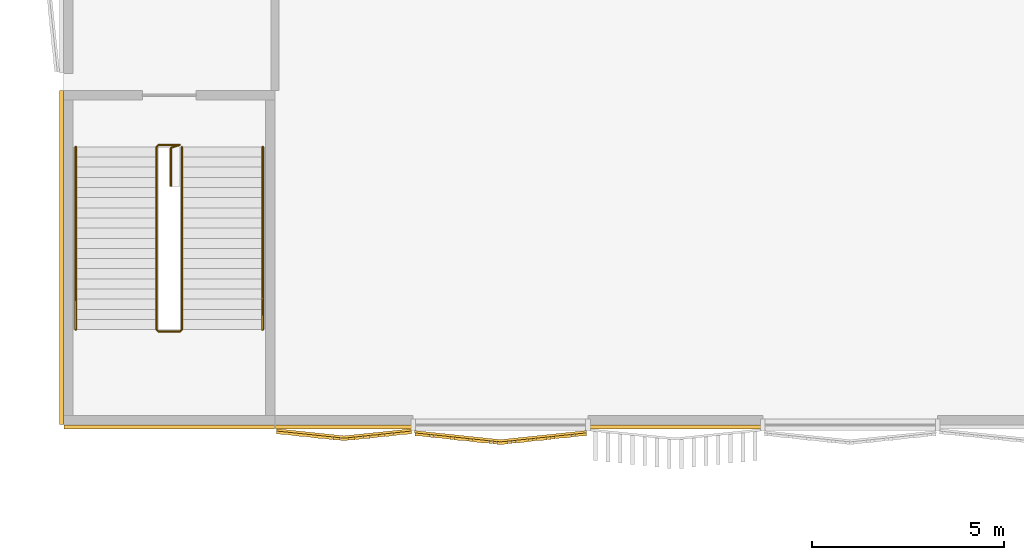
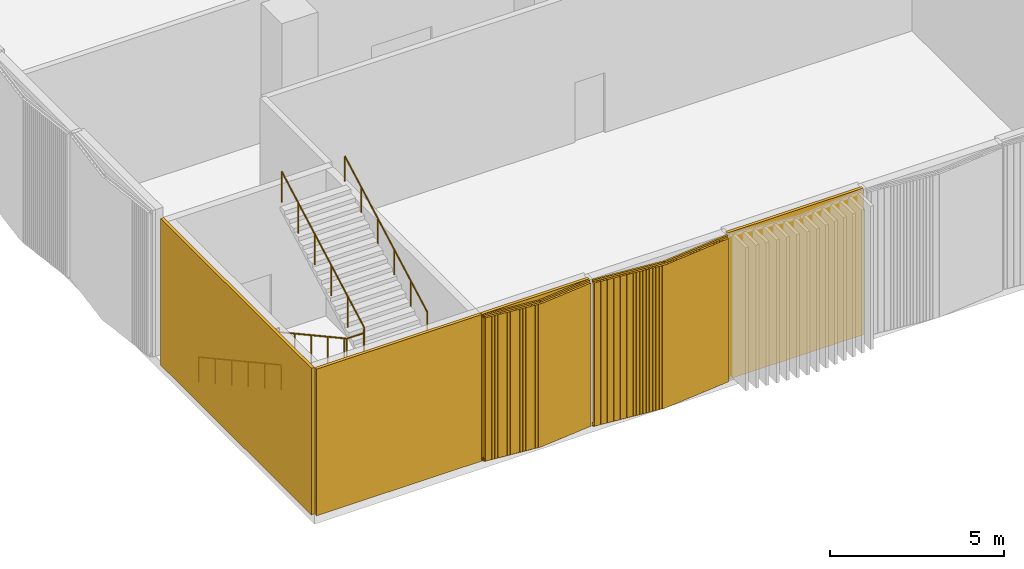
# One storey, part 20 of 31: 6 coverings, 3 railings.
"""IFC4 building model written with IfcOpenShell, lengths in metres."""

from ifc_helpers import new_model, si_unit, direction, frame, frame_2d, origin, origin_2d, place, context, subcontext, project, spatial, rectangle, circle, extrude, source, transform, mapped, material, layer, layer_set, type_object, element, save


model = new_model("IFC4")

# Units and contexts
model_context = context("Model", 3, precision=1e-05, world=origin(), true_north=direction((0.0, 1.0)))
body_context = subcontext(model_context, "Body", "Model", "MODEL_VIEW")
ifc_project = project(units=[si_unit("LENGTHUNIT", "METRE"), si_unit("AREAUNIT", "SQUARE_METRE"), si_unit("VOLUMEUNIT", "CUBIC_METRE"), si_unit("PLANEANGLEUNIT", "RADIAN"), si_unit("MASSUNIT", "GRAM", prefix="KILO")], contexts=[model_context])

# Site, building, storey
site_placement = place(None, origin())
site = spatial("IfcSite", under=ifc_project, at=site_placement, CompositionType="ELEMENT")
building_placement = place(site_placement, origin())
building = spatial("IfcBuilding", under=site, at=building_placement, Name="Tamra Quay Hotel Tower", CompositionType="ELEMENT")
storey_placement = place(building_placement, frame((0.0, 0.0, 14.0)))
storey = spatial("IfcBuildingStorey", under=building, at=storey_placement, Name="L02", CompositionType="ELEMENT", Elevation=14.0)

# Coverings
ifc_material_1 = material(Name="Precast concrete M60 terracotta-coloured pierced relief", Category="masonry")
ifc_layer = layer(ifc_material_1, 0.10009765625)
ifc_layer_set = layer_set([ifc_layer], Name="PIERCED RELIEF PANEL 100")
covering_type_1 = type_object("IfcCoveringType", Name="PIERCED RELIEF PANEL 100", PredefinedType="CLADDING", material=ifc_layer_set)
covering_1_placement = place(storey_placement, frame((-81.803955078125, -32.050048828125, 0.0), z_axis=(0.0, 0.0, 1.0), x_axis=(1.0, 0.0, 0.0)))
element("IfcCovering", 1, at=covering_1_placement, inside=storey, type_object=covering_type_1, Name="Relief panel L02.SW.11", PredefinedType="CLADDING", context=body_context, shape_type="SweptSolid", body=[
    extrude(rectangle(XDim=3.572265625, YDim=0.10009765625, at=origin_2d()), origin(), (0.0, 0.0, 1.0), 5.14990234375),
])
covering_2_placement = place(storey_placement, frame((-73.1884765625, -32.050048828125, 0.0), z_axis=(0.0, 0.0, 1.0), x_axis=(1.0, 0.0, 0.0)))
element("IfcCovering", 2, at=covering_2_placement, inside=storey, type_object=covering_type_1, Name="Relief panel L02.SW.13", PredefinedType="CLADDING", context=body_context, shape_type="SweptSolid", body=[
    extrude(rectangle(XDim=4.526123046875, YDim=0.10009765625, at=origin_2d()), origin(), (0.0, 0.0, 1.0), 5.14990234375),
])
covering_3_placement = place(storey_placement, frame((-89.14990234375, -27.64990234375, 0.0), z_axis=(0.0, 0.0, 1.0), x_axis=(0.0, -1.0, 0.0)))
element("IfcCovering", 3, at=covering_3_placement, inside=storey, type_object=covering_type_1, Name="Relief panel L02.PS2.2", PredefinedType="CLADDING", context=body_context, shape_type="SweptSolid", body=[
    extrude(rectangle(XDim=8.679931640625, YDim=0.10009765625, at=origin_2d()), origin(), (0.0, 0.0, 1.0), 5.14990234375),
])
covering_4_placement = place(storey_placement, frame((-86.35009765625, -32.050048828125, 0.0), z_axis=(0.0, 0.0, 1.0), x_axis=(1.0, 0.0, 0.0)))
element("IfcCovering", 4, at=covering_4_placement, inside=storey, type_object=covering_type_1, Name="Relief panel L02.PS2.3", PredefinedType="CLADDING", context=body_context, shape_type="SweptSolid", body=[
    extrude(rectangle(XDim=5.47998046875, YDim=0.10009765625, at=origin_2d()), origin(), (0.0, 0.0, 1.0), 5.14990234375),
])

# Railings
ifc_material_2 = material(Name="Stair guard 1100")
railing_type_1 = type_object("IfcRailingType", Name="Stair guard 1100", PredefinedType="GUARDRAIL", material=ifc_material_2)
railing_1_placement = place(storey_placement, frame((-86.300048828125, -25.7900390625, 0.0)))
element("IfcRailing", 5, at=railing_1_placement, inside=storey, type_object=railing_type_1, Name="GR", PredefinedType="GUARDRAIL", context=body_context, shape_type="SweptSolid", body=[
    extrude(circle(Radius=0.02392578125, at=origin_2d()), frame((0.0, 0.0, 1.076171875), z_axis=(0.0, 1.0, 0.0), x_axis=(-1.0, 0.0, 0.0)), (0.0, 0.0, 1.0), 1.0),
    extrude(circle(Radius=0.02392578125, at=origin_2d()), frame((0.0, 1.0, 1.076171875), z_axis=(0.956587750704, 0.291444463325, 0.0), x_axis=(-0.291444463325, 0.956587750704, 0.0)), (0.0, 0.0, 1.0), 0.240478515625),
    extrude(circle(Radius=0.02392578125, at=origin_2d()), frame((0.22998046875, 1.070068359375, 1.076171875), z_axis=(-1.0, 0.0, 0.0), x_axis=(0.0, -1.0, 0.0)), (0.0, 0.0, 1.0), 0.559814453125),
    extrude(circle(Radius=0.02392578125, at=origin_2d()), frame((-0.329833984375, 1.070068359375, 1.076171875), z_axis=(-0.310570770478, -0.310570770478, 0.898382765334), x_axis=(0.707106781187, -0.707106781187, 0.0)), (0.0, 0.0, 1.0), 0.1611328125),
    extrude(circle(Radius=0.02392578125, at=origin_2d()), frame((-0.3798828125, 1.02001953125, 1.220703125), z_axis=(0.0, -0.876865707204, 0.480735406986), x_axis=(1.0, 0.0, 0.0)), (0.0, 0.0, 1.0), 5.419189453125),
    extrude(circle(Radius=0.02392578125, at=origin_2d()), frame((-0.3798828125, -3.73193359375, 3.826171875), z_axis=(0.707106781187, -0.707106781187, 0.0), x_axis=(0.707106781187, 0.707106781187, 0.0)), (0.0, 0.0, 1.0), 0.07080078125),
    extrude(circle(Radius=0.02392578125, at=origin_2d()), frame((-0.329833984375, -3.781982421875, 3.826171875), z_axis=(1.0, 0.0, 0.0), x_axis=(0.0, 1.0, 0.0)), (0.0, 0.0, 1.0), 0.559814453125),
    extrude(circle(Radius=0.02392578125, at=origin_2d()), frame((0.22998046875, -3.781982421875, 3.826171875), z_axis=(0.310570770478, 0.310570770478, 0.898382765334), x_axis=(-0.707106781187, 0.707106781187, 0.0)), (0.0, 0.0, 1.0), 0.1611328125),
    extrude(circle(Radius=0.02392578125, at=origin_2d()), frame((0.280029296875, -3.73193359375, 3.970703125), z_axis=(0.0, 0.876865707204, 0.480735406986), x_axis=(-1.0, 0.0, 0.0)), (0.0, 0.0, 1.0), 5.419189453125),
    extrude(circle(Radius=0.02099609375, at=origin_2d()), origin(), (0.0, 0.0, 1.0), 1.052001953125),
    extrude(circle(Radius=0.02099609375, at=origin_2d()), frame((0.0, 1.0, 0.0)), (0.0, 0.0, 1.0), 1.052001953125),
    extrude(circle(Radius=0.02099609375, at=origin_2d()), frame((0.22998046875, 1.070068359375, 0.0)), (0.0, 0.0, 1.0), 1.052001953125),
    extrude(circle(Radius=0.02099609375, at=origin_2d()), frame((-0.329833984375, 1.070068359375, 0.0)), (0.0, 0.0, 1.0), 1.052001953125),
    extrude(circle(Radius=0.02099609375, at=origin_2d()), frame((-0.3798828125, 1.02001953125, 0.144775390625)), (0.0, 0.0, 1.0), 1.052001953125),
    extrude(circle(Radius=0.02099609375, at=origin_2d()), frame((-0.3798828125, 0.069580078125, 0.665771484375)), (0.0, 0.0, 1.0), 1.052001953125),
    extrude(circle(Radius=0.02099609375, at=origin_2d()), frame((-0.3798828125, -0.880859375, 1.186767578125)), (0.0, 0.0, 1.0), 1.052001953125),
    extrude(circle(Radius=0.02099609375, at=origin_2d()), frame((-0.3798828125, -1.8310546875, 1.7080078125)), (0.0, 0.0, 1.0), 1.052001953125),
    extrude(circle(Radius=0.02099609375, at=origin_2d()), frame((-0.3798828125, -2.781494140625, 2.22900390625)), (0.0, 0.0, 1.0), 1.052001953125),
    extrude(circle(Radius=0.02099609375, at=origin_2d()), frame((-0.3798828125, -3.73193359375, 2.75)), (0.0, 0.0, 1.0), 1.052001953125),
    extrude(circle(Radius=0.02099609375, at=origin_2d()), frame((-0.329833984375, -3.781982421875, 2.75)), (0.0, 0.0, 1.0), 1.052001953125),
    extrude(circle(Radius=0.02099609375, at=origin_2d()), frame((0.22998046875, -3.781982421875, 2.75)), (0.0, 0.0, 1.0), 1.052001953125),
    extrude(circle(Radius=0.02099609375, at=origin_2d()), frame((0.280029296875, -3.73193359375, 2.894775390625)), (0.0, 0.0, 1.0), 1.052001953125),
    extrude(circle(Radius=0.02099609375, at=origin_2d()), frame((0.280029296875, -2.781494140625, 3.415771484375)), (0.0, 0.0, 1.0), 1.052001953125),
    extrude(circle(Radius=0.02099609375, at=origin_2d()), frame((0.280029296875, -1.8310546875, 3.936767578125)), (0.0, 0.0, 1.0), 1.052001953125),
    extrude(circle(Radius=0.02099609375, at=origin_2d()), frame((0.280029296875, -0.880859375, 4.4580078125)), (0.0, 0.0, 1.0), 1.052001953125),
    extrude(circle(Radius=0.02099609375, at=origin_2d()), frame((0.280029296875, 0.069580078125, 4.97900390625)), (0.0, 0.0, 1.0), 1.052001953125),
    extrude(circle(Radius=0.02099609375, at=origin_2d()), frame((0.280029296875, 1.02001953125, 5.5)), (0.0, 0.0, 1.0), 1.052001953125),
])
ifc_material_3 = material(Name="Stair handrail 900")
railing_type_2 = type_object("IfcRailingType", Name="Stair handrail 900", PredefinedType="HANDRAIL", material=ifc_material_3)
railing_2_placement = place(storey_placement, frame((-88.780029296875, -24.77001953125, 0.144775390625)))
element("IfcRailing", 6, at=railing_2_placement, inside=storey, type_object=railing_type_2, Name="HR", PredefinedType="HANDRAIL", context=body_context, shape_type="SweptSolid", body=[
    extrude(circle(Radius=0.02392578125, at=origin_2d()), frame((0.0, 0.0, 0.8759765625), z_axis=(0.0, -0.876865707204, 0.480735406986), x_axis=(1.0, 0.0, 0.0)), (0.0, 0.0, 1.0), 5.419189453125),
    extrude(circle(Radius=0.02099609375, at=origin_2d()), origin(), (0.0, 0.0, 1.0), 0.851806640625),
    extrude(circle(Radius=0.02099609375, at=origin_2d()), frame((0.0, -0.950439453125, 0.52099609375)), (0.0, 0.0, 1.0), 0.851806640625),
    extrude(circle(Radius=0.02099609375, at=origin_2d()), frame((0.0, -1.90087890625, 1.0419921875)), (0.0, 0.0, 1.0), 0.851806640625),
    extrude(circle(Radius=0.02099609375, at=origin_2d()), frame((0.0, -2.85107421875, 1.563232421875)), (0.0, 0.0, 1.0), 0.851806640625),
    extrude(circle(Radius=0.02099609375, at=origin_2d()), frame((0.0, -3.801513671875, 2.084228515625)), (0.0, 0.0, 1.0), 0.851806640625),
    extrude(circle(Radius=0.02099609375, at=origin_2d()), frame((0.0, -4.751953125, 2.605224609375)), (0.0, 0.0, 1.0), 0.851806640625),
])
railing_3_placement = place(storey_placement, frame((-83.919921875, -29.52197265625, 2.894775390625)))
element("IfcRailing", 7, at=railing_3_placement, inside=storey, type_object=railing_type_2, Name="HR", PredefinedType="HANDRAIL", context=body_context, shape_type="SweptSolid", body=[
    extrude(circle(Radius=0.02392578125, at=origin_2d()), frame((0.0, 0.0, 0.8759765625), z_axis=(0.0, 0.876865707204, 0.480735406986), x_axis=(-1.0, 0.0, 0.0)), (0.0, 0.0, 1.0), 5.419189453125),
    extrude(circle(Radius=0.02099609375, at=origin_2d()), origin(), (0.0, 0.0, 1.0), 0.851806640625),
    extrude(circle(Radius=0.02099609375, at=origin_2d()), frame((0.0, 0.950439453125, 0.52099609375)), (0.0, 0.0, 1.0), 0.851806640625),
    extrude(circle(Radius=0.02099609375, at=origin_2d()), frame((0.0, 1.90087890625, 1.0419921875)), (0.0, 0.0, 1.0), 0.851806640625),
    extrude(circle(Radius=0.02099609375, at=origin_2d()), frame((0.0, 2.85107421875, 1.563232421875)), (0.0, 0.0, 1.0), 0.851806640625),
    extrude(circle(Radius=0.02099609375, at=origin_2d()), frame((0.0, 3.801513671875, 2.084228515625)), (0.0, 0.0, 1.0), 0.851806640625),
    extrude(circle(Radius=0.02099609375, at=origin_2d()), frame((0.0, 4.751953125, 2.605224609375)), (0.0, 0.0, 1.0), 0.851806640625),
])

# Coverings
ifc_material_4 = material(Name="Terracotta baguette extruded", Category="masonry")
covering_type_2 = type_object("IfcCoveringType", Name="BAGUETTE SCREEN PODIUM-SHALLOW H5150", PredefinedType="USERDEFINED", material=ifc_material_4)
shared_shape_1 = source(origin(), body_context, "Body", "SweptSolid", [
    extrude(rectangle(XDim=2.244873046875, YDim=0.06005859375, at=frame_2d((1.12255859375, 0.030029296875))), frame((-2.23876953125, -0.0576171875, -0.1201171875), z_axis=(0.0, 0.0, 1.0), x_axis=(0.994521895368, -0.104528463268, 0.0)), (0.0, 0.0, 1.0), 0.1201171875),
    extrude(rectangle(XDim=2.244873046875, YDim=0.06005859375, at=frame_2d((1.12255859375, 0.030029296875))), frame((-2.23876953125, -0.0576171875, -5.14990234375), z_axis=(0.0, 0.0, 1.0), x_axis=(0.994521895368, -0.104528463268, 0.0)), (0.0, 0.0, 1.0), 0.1201171875),
    extrude(rectangle(XDim=0.094970703125, YDim=0.10009765625, at=frame_2d((0.04736328125, 0.050048828125))), frame((-2.229248046875, -0.13330078125, -5.090087890625)), (0.0, 0.0, 1.0), 5.030029296875),
    extrude(rectangle(XDim=0.094970703125, YDim=0.10009765625, at=frame_2d((0.04736328125, 0.050048828125))), frame((-2.127685546875, -0.14404296875, -5.090087890625)), (0.0, 0.0, 1.0), 5.030029296875),
    extrude(rectangle(XDim=0.094970703125, YDim=0.10009765625, at=frame_2d((0.04736328125, 0.050048828125))), frame((-2.0263671875, -0.154541015625, -5.090087890625)), (0.0, 0.0, 1.0), 5.030029296875),
    extrude(rectangle(XDim=0.094970703125, YDim=0.10009765625, at=frame_2d((0.04736328125, 0.050048828125))), frame((-1.9248046875, -0.165283203125, -5.090087890625)), (0.0, 0.0, 1.0), 5.030029296875),
    extrude(rectangle(XDim=0.094970703125, YDim=0.10009765625, at=frame_2d((0.04736328125, 0.050048828125))), frame((-1.8232421875, -0.176025390625, -5.090087890625)), (0.0, 0.0, 1.0), 5.030029296875),
    extrude(rectangle(XDim=0.094970703125, YDim=0.10009765625, at=frame_2d((0.04736328125, 0.050048828125))), frame((-1.721923828125, -0.186767578125, -5.090087890625)), (0.0, 0.0, 1.0), 5.030029296875),
    extrude(rectangle(XDim=0.094970703125, YDim=0.10009765625, at=frame_2d((0.04736328125, 0.050048828125))), frame((-1.620361328125, -0.197265625, -5.090087890625)), (0.0, 0.0, 1.0), 5.030029296875),
    extrude(rectangle(XDim=0.094970703125, YDim=0.10009765625, at=frame_2d((0.04736328125, 0.050048828125))), frame((-1.518798828125, -0.2080078125, -5.090087890625)), (0.0, 0.0, 1.0), 5.030029296875),
    extrude(rectangle(XDim=0.094970703125, YDim=0.10009765625, at=frame_2d((0.04736328125, 0.050048828125))), frame((-1.41748046875, -0.21875, -5.090087890625)), (0.0, 0.0, 1.0), 5.030029296875),
    extrude(rectangle(XDim=0.094970703125, YDim=0.10009765625, at=frame_2d((0.04736328125, 0.050048828125))), frame((-1.31591796875, -0.229248046875, -5.090087890625)), (0.0, 0.0, 1.0), 5.030029296875),
    extrude(rectangle(XDim=0.094970703125, YDim=0.10009765625, at=frame_2d((0.04736328125, 0.050048828125))), frame((-1.214599609375, -0.239990234375, -5.090087890625)), (0.0, 0.0, 1.0), 5.030029296875),
    extrude(rectangle(XDim=0.094970703125, YDim=0.10009765625, at=frame_2d((0.04736328125, 0.050048828125))), frame((-1.113037109375, -0.250732421875, -5.090087890625)), (0.0, 0.0, 1.0), 5.030029296875),
    extrude(rectangle(XDim=0.094970703125, YDim=0.10009765625, at=frame_2d((0.04736328125, 0.050048828125))), frame((-1.011474609375, -0.26123046875, -5.090087890625)), (0.0, 0.0, 1.0), 5.030029296875),
    extrude(rectangle(XDim=0.094970703125, YDim=0.10009765625, at=frame_2d((0.04736328125, 0.050048828125))), frame((-0.91015625, -0.27197265625, -5.090087890625)), (0.0, 0.0, 1.0), 5.030029296875),
    extrude(rectangle(XDim=0.094970703125, YDim=0.10009765625, at=frame_2d((0.04736328125, 0.050048828125))), frame((-0.80859375, -0.28271484375, -5.090087890625)), (0.0, 0.0, 1.0), 5.030029296875),
    extrude(rectangle(XDim=0.094970703125, YDim=0.10009765625, at=frame_2d((0.04736328125, 0.050048828125))), frame((-0.70703125, -0.293212890625, -5.090087890625)), (0.0, 0.0, 1.0), 5.030029296875),
    extrude(rectangle(XDim=0.094970703125, YDim=0.10009765625, at=frame_2d((0.04736328125, 0.050048828125))), frame((-0.605712890625, -0.303955078125, -5.090087890625)), (0.0, 0.0, 1.0), 5.030029296875),
    extrude(rectangle(XDim=0.094970703125, YDim=0.10009765625, at=frame_2d((0.04736328125, 0.050048828125))), frame((-0.504150390625, -0.314697265625, -5.090087890625)), (0.0, 0.0, 1.0), 5.030029296875),
    extrude(rectangle(XDim=0.094970703125, YDim=0.10009765625, at=frame_2d((0.04736328125, 0.050048828125))), frame((-0.402587890625, -0.325439453125, -5.090087890625)), (0.0, 0.0, 1.0), 5.030029296875),
    extrude(rectangle(XDim=0.094970703125, YDim=0.10009765625, at=frame_2d((0.04736328125, 0.050048828125))), frame((-0.30126953125, -0.3359375, -5.090087890625)), (0.0, 0.0, 1.0), 5.030029296875),
    extrude(rectangle(XDim=0.094970703125, YDim=0.10009765625, at=frame_2d((0.04736328125, 0.050048828125))), frame((-0.19970703125, -0.3466796875, -5.090087890625)), (0.0, 0.0, 1.0), 5.030029296875),
    extrude(rectangle(XDim=0.094970703125, YDim=0.10009765625, at=frame_2d((0.04736328125, 0.050048828125))), frame((-0.09814453125, -0.357421875, -5.090087890625)), (0.0, 0.0, 1.0), 5.030029296875),
    extrude(rectangle(XDim=2.244873046875, YDim=0.06005859375, at=frame_2d((1.12255859375, 0.030029296875))), frame((0.00634765625, -0.292236328125, -0.1201171875), z_axis=(0.0, 0.0, 1.0), x_axis=(0.994521895368, 0.104528463268, 0.0)), (0.0, 0.0, 1.0), 0.1201171875),
    extrude(rectangle(XDim=2.244873046875, YDim=0.06005859375, at=frame_2d((1.12255859375, 0.030029296875))), frame((0.00634765625, -0.292236328125, -5.14990234375), z_axis=(0.0, 0.0, 1.0), x_axis=(0.994521895368, 0.104528463268, 0.0)), (0.0, 0.0, 1.0), 0.1201171875),
    extrude(rectangle(XDim=0.094970703125, YDim=0.10009765625, at=frame_2d((0.04736328125, 0.050048828125))), frame((0.003173828125, -0.357421875, -5.090087890625)), (0.0, 0.0, 1.0), 5.030029296875),
    extrude(rectangle(XDim=0.094970703125, YDim=0.10009765625, at=frame_2d((0.04736328125, 0.050048828125))), frame((0.104736328125, -0.3466796875, -5.090087890625)), (0.0, 0.0, 1.0), 5.030029296875),
    extrude(rectangle(XDim=0.094970703125, YDim=0.10009765625, at=frame_2d((0.04736328125, 0.050048828125))), frame((0.206298828125, -0.3359375, -5.090087890625)), (0.0, 0.0, 1.0), 5.030029296875),
    extrude(rectangle(XDim=0.094970703125, YDim=0.10009765625, at=frame_2d((0.04736328125, 0.050048828125))), frame((0.3076171875, -0.325439453125, -5.090087890625)), (0.0, 0.0, 1.0), 5.030029296875),
    extrude(rectangle(XDim=0.094970703125, YDim=0.10009765625, at=frame_2d((0.04736328125, 0.050048828125))), frame((0.4091796875, -0.314697265625, -5.090087890625)), (0.0, 0.0, 1.0), 5.030029296875),
    extrude(rectangle(XDim=0.094970703125, YDim=0.10009765625, at=frame_2d((0.04736328125, 0.050048828125))), frame((0.510498046875, -0.303955078125, -5.090087890625)), (0.0, 0.0, 1.0), 5.030029296875),
    extrude(rectangle(XDim=0.094970703125, YDim=0.10009765625, at=frame_2d((0.04736328125, 0.050048828125))), frame((0.612060546875, -0.293212890625, -5.090087890625)), (0.0, 0.0, 1.0), 5.030029296875),
    extrude(rectangle(XDim=0.094970703125, YDim=0.10009765625, at=frame_2d((0.04736328125, 0.050048828125))), frame((0.713623046875, -0.28271484375, -5.090087890625)), (0.0, 0.0, 1.0), 5.030029296875),
    extrude(rectangle(XDim=0.094970703125, YDim=0.10009765625, at=frame_2d((0.04736328125, 0.050048828125))), frame((0.81494140625, -0.27197265625, -5.090087890625)), (0.0, 0.0, 1.0), 5.030029296875),
    extrude(rectangle(XDim=0.094970703125, YDim=0.10009765625, at=frame_2d((0.04736328125, 0.050048828125))), frame((0.91650390625, -0.26123046875, -5.090087890625)), (0.0, 0.0, 1.0), 5.030029296875),
    extrude(rectangle(XDim=0.094970703125, YDim=0.10009765625, at=frame_2d((0.04736328125, 0.050048828125))), frame((1.01806640625, -0.250732421875, -5.090087890625)), (0.0, 0.0, 1.0), 5.030029296875),
    extrude(rectangle(XDim=0.094970703125, YDim=0.10009765625, at=frame_2d((0.04736328125, 0.050048828125))), frame((1.119384765625, -0.239990234375, -5.090087890625)), (0.0, 0.0, 1.0), 5.030029296875),
    extrude(rectangle(XDim=0.094970703125, YDim=0.10009765625, at=frame_2d((0.04736328125, 0.050048828125))), frame((1.220947265625, -0.229248046875, -5.090087890625)), (0.0, 0.0, 1.0), 5.030029296875),
    extrude(rectangle(XDim=0.094970703125, YDim=0.10009765625, at=frame_2d((0.04736328125, 0.050048828125))), frame((1.322509765625, -0.21875, -5.090087890625)), (0.0, 0.0, 1.0), 5.030029296875),
    extrude(rectangle(XDim=0.094970703125, YDim=0.10009765625, at=frame_2d((0.04736328125, 0.050048828125))), frame((1.423828125, -0.2080078125, -5.090087890625)), (0.0, 0.0, 1.0), 5.030029296875),
    extrude(rectangle(XDim=0.094970703125, YDim=0.10009765625, at=frame_2d((0.04736328125, 0.050048828125))), frame((1.525390625, -0.197265625, -5.090087890625)), (0.0, 0.0, 1.0), 5.030029296875),
    extrude(rectangle(XDim=0.094970703125, YDim=0.10009765625, at=frame_2d((0.04736328125, 0.050048828125))), frame((1.626953125, -0.186767578125, -5.090087890625)), (0.0, 0.0, 1.0), 5.030029296875),
    extrude(rectangle(XDim=0.094970703125, YDim=0.10009765625, at=frame_2d((0.04736328125, 0.050048828125))), frame((1.728271484375, -0.176025390625, -5.090087890625)), (0.0, 0.0, 1.0), 5.030029296875),
    extrude(rectangle(XDim=0.094970703125, YDim=0.10009765625, at=frame_2d((0.04736328125, 0.050048828125))), frame((1.829833984375, -0.165283203125, -5.090087890625)), (0.0, 0.0, 1.0), 5.030029296875),
    extrude(rectangle(XDim=0.094970703125, YDim=0.10009765625, at=frame_2d((0.04736328125, 0.050048828125))), frame((1.931396484375, -0.154541015625, -5.090087890625)), (0.0, 0.0, 1.0), 5.030029296875),
    extrude(rectangle(XDim=0.094970703125, YDim=0.10009765625, at=frame_2d((0.04736328125, 0.050048828125))), frame((2.03271484375, -0.14404296875, -5.090087890625)), (0.0, 0.0, 1.0), 5.030029296875),
    extrude(rectangle(XDim=0.094970703125, YDim=0.10009765625, at=frame_2d((0.04736328125, 0.050048828125))), frame((2.13427734375, -0.13330078125, -5.090087890625)), (0.0, 0.0, 1.0), 5.030029296875),
])
covering_5_placement = place(storey_placement, frame((-77.734619140625, -32.14794921875, 5.14990234375), z_axis=(0.0, 0.0, 1.0), x_axis=(1.0, 0.0, 0.0)))
element("IfcCovering", 8, at=covering_5_placement, inside=storey, type_object=covering_type_2, Name="Baguette screen L02.SW.f00", ObjectType="BAGUETTE SCREEN", PredefinedType="USERDEFINED", context=body_context, shape_type="MappedRepresentation", body=[
    mapped(shared_shape_1, transform((0.0, 0.0, 0.0), scale=1.0)),
])
covering_type_3 = type_object("IfcCoveringType", Name="BAGUETTE SCREEN SW-SHALLOW H5150", PredefinedType="USERDEFINED", material=ifc_material_4)
shared_shape_2 = source(origin(), body_context, "Body", "SweptSolid", [
    extrude(rectangle(XDim=1.76220703125, YDim=0.06005859375, at=frame_2d((0.881103515625, 0.030029296875))), frame((-1.7587890625, -0.0576171875, -0.1201171875), z_axis=(0.0, 0.0, 1.0), x_axis=(0.994521895368, -0.104528463268, 0.0)), (0.0, 0.0, 1.0), 0.1201171875),
    extrude(rectangle(XDim=1.76220703125, YDim=0.06005859375, at=frame_2d((0.881103515625, 0.030029296875))), frame((-1.7587890625, -0.0576171875, -5.14990234375), z_axis=(0.0, 0.0, 1.0), x_axis=(0.994521895368, -0.104528463268, 0.0)), (0.0, 0.0, 1.0), 0.1201171875),
    extrude(rectangle(XDim=0.094970703125, YDim=0.10009765625, at=frame_2d((0.04736328125, 0.050048828125))), frame((-1.751220703125, -0.133056640625, -5.090087890625)), (0.0, 0.0, 1.0), 5.030029296875),
    extrude(rectangle(XDim=0.094970703125, YDim=0.10009765625, at=frame_2d((0.04736328125, 0.050048828125))), frame((-1.654052734375, -0.143310546875, -5.090087890625)), (0.0, 0.0, 1.0), 5.030029296875),
    extrude(rectangle(XDim=0.094970703125, YDim=0.10009765625, at=frame_2d((0.04736328125, 0.050048828125))), frame((-1.556640625, -0.153564453125, -5.090087890625)), (0.0, 0.0, 1.0), 5.030029296875),
    extrude(rectangle(XDim=0.094970703125, YDim=0.10009765625, at=frame_2d((0.04736328125, 0.050048828125))), frame((-1.459228515625, -0.163818359375, -5.090087890625)), (0.0, 0.0, 1.0), 5.030029296875),
    extrude(rectangle(XDim=0.094970703125, YDim=0.10009765625, at=frame_2d((0.04736328125, 0.050048828125))), frame((-1.36181640625, -0.174072265625, -5.090087890625)), (0.0, 0.0, 1.0), 5.030029296875),
    extrude(rectangle(XDim=0.094970703125, YDim=0.10009765625, at=frame_2d((0.04736328125, 0.050048828125))), frame((-1.264404296875, -0.184326171875, -5.090087890625)), (0.0, 0.0, 1.0), 5.030029296875),
    extrude(rectangle(XDim=0.094970703125, YDim=0.10009765625, at=frame_2d((0.04736328125, 0.050048828125))), frame((-1.167236328125, -0.194580078125, -5.090087890625)), (0.0, 0.0, 1.0), 5.030029296875),
    extrude(rectangle(XDim=0.094970703125, YDim=0.10009765625, at=frame_2d((0.04736328125, 0.050048828125))), frame((-1.06982421875, -0.204833984375, -5.090087890625)), (0.0, 0.0, 1.0), 5.030029296875),
    extrude(rectangle(XDim=0.094970703125, YDim=0.10009765625, at=frame_2d((0.04736328125, 0.050048828125))), frame((-0.972412109375, -0.215087890625, -5.090087890625)), (0.0, 0.0, 1.0), 5.030029296875),
    extrude(rectangle(XDim=0.094970703125, YDim=0.10009765625, at=frame_2d((0.04736328125, 0.050048828125))), frame((-0.875, -0.22509765625, -5.090087890625)), (0.0, 0.0, 1.0), 5.030029296875),
    extrude(rectangle(XDim=0.094970703125, YDim=0.10009765625, at=frame_2d((0.04736328125, 0.050048828125))), frame((-0.77783203125, -0.2353515625, -5.090087890625)), (0.0, 0.0, 1.0), 5.030029296875),
    extrude(rectangle(XDim=0.094970703125, YDim=0.10009765625, at=frame_2d((0.04736328125, 0.050048828125))), frame((-0.680419921875, -0.24560546875, -5.090087890625)), (0.0, 0.0, 1.0), 5.030029296875),
    extrude(rectangle(XDim=0.094970703125, YDim=0.10009765625, at=frame_2d((0.04736328125, 0.050048828125))), frame((-0.5830078125, -0.255859375, -5.090087890625)), (0.0, 0.0, 1.0), 5.030029296875),
    extrude(rectangle(XDim=0.094970703125, YDim=0.10009765625, at=frame_2d((0.04736328125, 0.050048828125))), frame((-0.485595703125, -0.26611328125, -5.090087890625)), (0.0, 0.0, 1.0), 5.030029296875),
    extrude(rectangle(XDim=0.094970703125, YDim=0.10009765625, at=frame_2d((0.04736328125, 0.050048828125))), frame((-0.38818359375, -0.2763671875, -5.090087890625)), (0.0, 0.0, 1.0), 5.030029296875),
    extrude(rectangle(XDim=0.094970703125, YDim=0.10009765625, at=frame_2d((0.04736328125, 0.050048828125))), frame((-0.291015625, -0.28662109375, -5.090087890625)), (0.0, 0.0, 1.0), 5.030029296875),
    extrude(rectangle(XDim=0.094970703125, YDim=0.10009765625, at=frame_2d((0.04736328125, 0.050048828125))), frame((-0.193603515625, -0.296875, -5.090087890625)), (0.0, 0.0, 1.0), 5.030029296875),
    extrude(rectangle(XDim=0.094970703125, YDim=0.10009765625, at=frame_2d((0.04736328125, 0.050048828125))), frame((-0.09619140625, -0.30712890625, -5.090087890625)), (0.0, 0.0, 1.0), 5.030029296875),
    extrude(rectangle(XDim=1.76220703125, YDim=0.06005859375, at=frame_2d((0.881103515625, 0.030029296875))), frame((0.00634765625, -0.241943359375, -0.1201171875), z_axis=(0.0, 0.0, 1.0), x_axis=(0.994521895368, 0.104528463268, 0.0)), (0.0, 0.0, 1.0), 0.1201171875),
    extrude(rectangle(XDim=1.76220703125, YDim=0.06005859375, at=frame_2d((0.881103515625, 0.030029296875))), frame((0.00634765625, -0.241943359375, -5.14990234375), z_axis=(0.0, 0.0, 1.0), x_axis=(0.994521895368, 0.104528463268, 0.0)), (0.0, 0.0, 1.0), 0.1201171875),
    extrude(rectangle(XDim=0.094970703125, YDim=0.10009765625, at=frame_2d((0.04736328125, 0.050048828125))), frame((0.001220703125, -0.30712890625, -5.090087890625)), (0.0, 0.0, 1.0), 5.030029296875),
    extrude(rectangle(XDim=0.094970703125, YDim=0.10009765625, at=frame_2d((0.04736328125, 0.050048828125))), frame((0.0986328125, -0.296875, -5.090087890625)), (0.0, 0.0, 1.0), 5.030029296875),
    extrude(rectangle(XDim=0.094970703125, YDim=0.10009765625, at=frame_2d((0.04736328125, 0.050048828125))), frame((0.19580078125, -0.28662109375, -5.090087890625)), (0.0, 0.0, 1.0), 5.030029296875),
    extrude(rectangle(XDim=0.094970703125, YDim=0.10009765625, at=frame_2d((0.04736328125, 0.050048828125))), frame((0.293212890625, -0.2763671875, -5.090087890625)), (0.0, 0.0, 1.0), 5.030029296875),
    extrude(rectangle(XDim=0.094970703125, YDim=0.10009765625, at=frame_2d((0.04736328125, 0.050048828125))), frame((0.390625, -0.26611328125, -5.090087890625)), (0.0, 0.0, 1.0), 5.030029296875),
    extrude(rectangle(XDim=0.094970703125, YDim=0.10009765625, at=frame_2d((0.04736328125, 0.050048828125))), frame((0.488037109375, -0.255859375, -5.090087890625)), (0.0, 0.0, 1.0), 5.030029296875),
    extrude(rectangle(XDim=0.094970703125, YDim=0.10009765625, at=frame_2d((0.04736328125, 0.050048828125))), frame((0.58544921875, -0.24560546875, -5.090087890625)), (0.0, 0.0, 1.0), 5.030029296875),
    extrude(rectangle(XDim=0.094970703125, YDim=0.10009765625, at=frame_2d((0.04736328125, 0.050048828125))), frame((0.6826171875, -0.2353515625, -5.090087890625)), (0.0, 0.0, 1.0), 5.030029296875),
    extrude(rectangle(XDim=0.094970703125, YDim=0.10009765625, at=frame_2d((0.04736328125, 0.050048828125))), frame((0.780029296875, -0.22509765625, -5.090087890625)), (0.0, 0.0, 1.0), 5.030029296875),
    extrude(rectangle(XDim=0.094970703125, YDim=0.10009765625, at=frame_2d((0.04736328125, 0.050048828125))), frame((0.87744140625, -0.215087890625, -5.090087890625)), (0.0, 0.0, 1.0), 5.030029296875),
    extrude(rectangle(XDim=0.094970703125, YDim=0.10009765625, at=frame_2d((0.04736328125, 0.050048828125))), frame((0.974853515625, -0.204833984375, -5.090087890625)), (0.0, 0.0, 1.0), 5.030029296875),
    extrude(rectangle(XDim=0.094970703125, YDim=0.10009765625, at=frame_2d((0.04736328125, 0.050048828125))), frame((1.072265625, -0.194580078125, -5.090087890625)), (0.0, 0.0, 1.0), 5.030029296875),
    extrude(rectangle(XDim=0.094970703125, YDim=0.10009765625, at=frame_2d((0.04736328125, 0.050048828125))), frame((1.16943359375, -0.184326171875, -5.090087890625)), (0.0, 0.0, 1.0), 5.030029296875),
    extrude(rectangle(XDim=0.094970703125, YDim=0.10009765625, at=frame_2d((0.04736328125, 0.050048828125))), frame((1.266845703125, -0.174072265625, -5.090087890625)), (0.0, 0.0, 1.0), 5.030029296875),
    extrude(rectangle(XDim=0.094970703125, YDim=0.10009765625, at=frame_2d((0.04736328125, 0.050048828125))), frame((1.3642578125, -0.163818359375, -5.090087890625)), (0.0, 0.0, 1.0), 5.030029296875),
    extrude(rectangle(XDim=0.094970703125, YDim=0.10009765625, at=frame_2d((0.04736328125, 0.050048828125))), frame((1.461669921875, -0.153564453125, -5.090087890625)), (0.0, 0.0, 1.0), 5.030029296875),
    extrude(rectangle(XDim=0.094970703125, YDim=0.10009765625, at=frame_2d((0.04736328125, 0.050048828125))), frame((1.55908203125, -0.143310546875, -5.090087890625)), (0.0, 0.0, 1.0), 5.030029296875),
    extrude(rectangle(XDim=0.094970703125, YDim=0.10009765625, at=frame_2d((0.04736328125, 0.050048828125))), frame((1.65625, -0.133056640625, -5.090087890625)), (0.0, 0.0, 1.0), 5.030029296875),
])
covering_6_placement = place(storey_placement, frame((-81.803955078125, -32.10009765625, 5.14990234375), z_axis=(0.0, 0.0, 1.0), x_axis=(1.0, 0.0, 0.0)))
element("IfcCovering", 9, at=covering_6_placement, inside=storey, type_object=covering_type_3, Name="Baguette screen wing.L02.SW.11", ObjectType="BAGUETTE SCREEN", PredefinedType="USERDEFINED", context=body_context, shape_type="MappedRepresentation", body=[
    mapped(shared_shape_2, transform((0.0, 0.0, 0.0), scale=1.0)),
])

save(model, "model.ifc")
